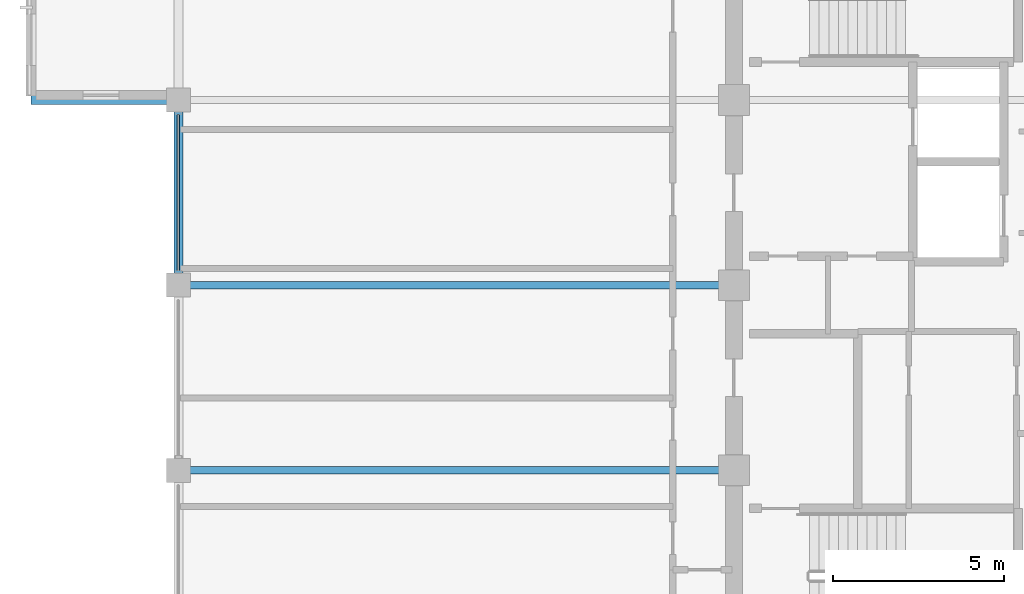
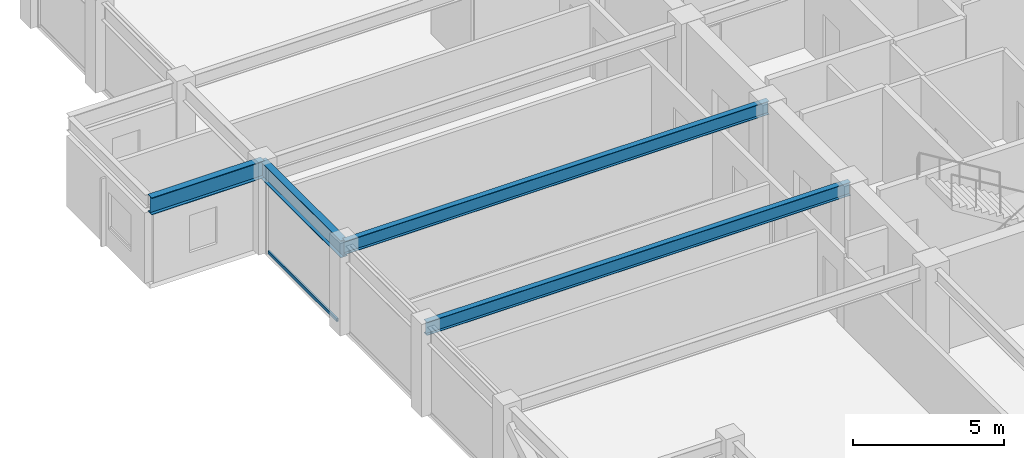
# One storey, part 6 of 31: 4 beams, 1 member, 1 element without a shape of its own.
"""IFC4 building model written with IfcOpenShell, lengths in metres."""

import ifcopenshell
import ifcopenshell.guid

model = None  # the IFC model being written
_history = None  # IfcOwnerHistory: only IFC2X3 demands one
_inside = {}  # id of a spatial element -> (the spatial element, [elements in it])
_under = {}  # id of a project, library or spatial element -> (it, [spatial elements below it])
_declared = {}  # id of a project -> (the project, [libraries it declares])
_typed = {}  # id of a type object -> (the type object, [elements of that type])
_made_of = {}  # id of a material, layer set ... -> (it, [elements and type objects made of it])


def new_model(schema):
    """Start an empty IFC model of exactly this schema.

    Asked for "IFC4X3", IfcOpenShell would pick the latest addendum, in which some entities
    have other attributes; the version numbers below select the first issue.
    IFC2X3 requires an IfcOwnerHistory on every rooted entity: one is made here for all.
    """
    global model, _history
    if schema == "IFC4X3":
        model = ifcopenshell.file(schema_version=(4, 3, 0, 0))
    else:
        model = ifcopenshell.file(schema=schema)
    _inside.clear()
    _under.clear()
    _declared.clear()
    _typed.clear()
    _made_of.clear()
    _history = None
    if model.schema == "IFC2X3":
        org = make("IfcOrganization", Name="unknown")
        user = make(
            "IfcPersonAndOrganization",
            ThePerson=make("IfcPerson", FamilyName="unknown"),
            TheOrganization=org,
        )
        app = make(
            "IfcApplication",
            ApplicationDeveloper=org,
            Version="unknown",
            ApplicationFullName="unknown",
            ApplicationIdentifier="unknown",
        )
        _history = make(
            "IfcOwnerHistory",
            OwningUser=user,
            OwningApplication=app,
            ChangeAction="ADDED",
            CreationDate=0,
        )
    return model


def make(cls, **values):
    """One entity of the class cls with the attributes given. An attribute that is None is left unset."""
    return model.create_entity(
        cls, **{name: value for name, value in values.items() if value is not None}
    )


def rooted(cls, **values):
    """An entity with a GlobalId (a new one), such as an element, a storey or a relation."""
    return make(cls, GlobalId=ifcopenshell.guid.new(), OwnerHistory=_history, **values)


def si_unit(unit_type, name, prefix=None):
    """IfcSIUnit, for example si_unit("LENGTHUNIT", "METRE", prefix="MILLI")."""
    return make("IfcSIUnit", UnitType=unit_type, Prefix=prefix, Name=name)


def assignment(units):
    """IfcUnitAssignment: the units of a project."""
    return None if units is None else make("IfcUnitAssignment", Units=units)


def point(xyz):
    """IfcCartesianPoint."""
    return None if xyz is None else make("IfcCartesianPoint", Coordinates=xyz)


def direction(xyz):
    """IfcDirection."""
    return None if xyz is None else make("IfcDirection", DirectionRatios=xyz)


def frame(location, z_axis=None, x_axis=None):
    """IfcAxis2Placement3D, a coordinate frame: its origin and axes. An axis left out is left unset."""
    return make(
        "IfcAxis2Placement3D",
        Location=point(location),
        Axis=direction(z_axis),
        RefDirection=direction(x_axis),
    )


def frame_2d(location, x_axis=None):
    """IfcAxis2Placement2D, a coordinate frame in the plane: its origin and x axis."""
    return make(
        "IfcAxis2Placement2D", Location=point(location), RefDirection=direction(x_axis)
    )


def origin():
    """The frame at (0, 0, 0) with its axes left unset."""
    return frame((0.0, 0.0, 0.0))


def origin_2d():
    """The frame at (0, 0) in the plane with its x axis left unset."""
    return frame_2d((0.0, 0.0))


def place(relative_to, where):
    """IfcLocalPlacement: puts the frame where relative to a parent placement (None: the world)."""
    return make(
        "IfcLocalPlacement", PlacementRelTo=relative_to, RelativePlacement=where
    )


def context(
    kind, dimensions, precision=None, world=None, true_north=None, identifier=None
):
    """IfcGeometricRepresentationContext, for example the 3D "Model" context."""
    return make(
        "IfcGeometricRepresentationContext",
        ContextIdentifier=identifier,
        ContextType=kind,
        CoordinateSpaceDimension=dimensions,
        Precision=precision,
        WorldCoordinateSystem=world,
        TrueNorth=true_north,
    )


def subcontext(parent, identifier, kind, view, scale=None):
    """IfcGeometricRepresentationSubContext, for example "Body" below "Model"."""
    return make(
        "IfcGeometricRepresentationSubContext",
        ContextIdentifier=identifier,
        ContextType=kind,
        ParentContext=parent,
        TargetScale=scale,
        TargetView=view,
    )


def project(units=None, contexts=None):
    """IfcProject with its units and contexts."""
    return rooted(
        "IfcProject",
        Name="project",
        RepresentationContexts=contexts,
        UnitsInContext=assignment(units),
    )


def spatial(cls, under=None, at=None, **own):
    """A site, building, storey or space (cls), placed at a placement, below another one or the project."""
    s = rooted(cls, ObjectPlacement=at, **own)
    if under is not None:
        _under.setdefault(under.id(), (under, []))[1].append(s)
    return s


def profile(cls, at=None, kind="AREA", **sizes):
    """A parametric profile (cls). Its sizes go by their IFC names, for example OverallWidth=200.0."""
    return make(cls, ProfileType=kind, Position=at, **sizes)


def hollow_rectangle(**sizes):
    """IfcRectangleHollowProfileDef."""
    return profile("IfcRectangleHollowProfileDef", **sizes)


def i_section(**sizes):
    """IfcIShapeProfileDef."""
    return profile("IfcIShapeProfileDef", **sizes)


def extrude(swept, where, along, depth):
    """IfcExtrudedAreaSolid: the profile swept, set in the frame where, extruded along a direction by depth."""
    return make(
        "IfcExtrudedAreaSolid",
        SweptArea=swept,
        Position=where,
        ExtrudedDirection=direction(along),
        Depth=depth,
    )


def shape(context_of_items, identifier, shape_type, items):
    """IfcShapeRepresentation: the items that make up one representation, for example the "Body"."""
    return make(
        "IfcShapeRepresentation",
        ContextOfItems=context_of_items,
        RepresentationIdentifier=identifier,
        RepresentationType=shape_type,
        Items=items,
    )


def material(Name=None, Category=None):
    """IfcMaterial."""
    return make("IfcMaterial", Name=Name, Category=Category)


def layer(
    of_material, thickness, ventilated=None, Name=None, Category=None, Priority=None
):
    """IfcMaterialLayer: one layer of a wall or slab, of a material (None: an air gap)."""
    return make(
        "IfcMaterialLayer",
        Material=of_material,
        LayerThickness=thickness,
        IsVentilated=ventilated,
        Name=Name,
        Category=Category,
        Priority=Priority,
    )


def layer_set(layers, Name=None):
    """IfcMaterialLayerSet."""
    return make("IfcMaterialLayerSet", MaterialLayers=layers, LayerSetName=Name)


def material_profile(
    of_material, cross_section, Name=None, Category=None, Priority=None
):
    """IfcMaterialProfile: a cross section and its material."""
    return make(
        "IfcMaterialProfile",
        Name=Name,
        Material=of_material,
        Profile=cross_section,
        Priority=Priority,
        Category=Category,
    )


def profile_set(profiles, Name=None, composite=None):
    """IfcMaterialProfileSet."""
    return make(
        "IfcMaterialProfileSet",
        Name=Name,
        MaterialProfiles=profiles,
        CompositeProfile=composite,
    )


def made_of(thing, what):
    """Note that an element or type object is made of a material, layer set ...; save() writes the relation."""
    if what is not None:
        _made_of.setdefault(what.id(), (what, []))[1].append(thing)
    return thing


def type_object(cls, material=None, **own):
    """A type object (cls), such as IfcWallType, which elements share."""
    return made_of(rooted(cls, **own), material)


def element(
    cls,
    number,
    at=None,
    inside=None,
    cuts=None,
    type_object=None,
    material=None,
    context=None,
    identifier="Body",
    shape_type=None,
    held_by="IfcProductDefinitionShape",
    body=None,
    shapes=None,
    **own,
):
    """One element of the class cls, such as IfcWall. Its Tag is "e" and its number.

    at: its placement. inside: the storey or other place that contains it. cuts: it is an
    opening in that element (IfcRelVoidsElement). A single representation is given by context,
    identifier, shape_type and body (its items); several are given by shapes. held_by: the class
    of the entity that holds the representations. save() writes the other relations.
    """
    e = rooted(cls, Tag="e%d" % number, ObjectPlacement=at, **own)
    if body is not None:
        shapes = [shape(context, identifier, shape_type, body)]
    if shapes is not None:
        e.Representation = make(held_by, Representations=shapes)
    if inside is not None:
        _inside.setdefault(inside.id(), (inside, []))[1].append(e)
    if cuts is not None:
        rooted(
            "IfcRelVoidsElement", RelatingBuildingElement=cuts, RelatedOpeningElement=e
        )
    if type_object is not None:
        _typed.setdefault(type_object.id(), (type_object, []))[1].append(e)
    return made_of(e, material)


def aggregate(whole, parts):
    """IfcRelAggregates: a whole, such as a stair, and the parts it consists of."""
    return rooted("IfcRelAggregates", RelatingObject=whole, RelatedObjects=parts)


def save(model, path):
    """Write the relations noted so far, then the file.

    IfcRelAggregates (storeys below a building ...), IfcRelContainedInSpatialStructure (elements
    in a storey), IfcRelDefinesByType, IfcRelAssociatesMaterial and IfcRelDeclares: one each for
    every whole, place, type object, material and project.
    """
    for whole, parts in _under.values():
        aggregate(whole, parts)
    for where, things in _inside.values():
        rooted(
            "IfcRelContainedInSpatialStructure",
            RelatedElements=things,
            RelatingStructure=where,
        )
    for kind, things in _typed.values():
        rooted("IfcRelDefinesByType", RelatedObjects=things, RelatingType=kind)
    for what, things in _made_of.values():
        rooted("IfcRelAssociatesMaterial", RelatedObjects=things, RelatingMaterial=what)
    for by, libraries in _declared.values():
        rooted("IfcRelDeclares", RelatingContext=by, RelatedDefinitions=libraries)
    model.write(path)


model = new_model("IFC4")

# Units and contexts
model_context = context("Model", 3, precision=1e-05, world=origin(), true_north=direction((0.0, 1.0)))
body_context = subcontext(model_context, "Body", "Model", "MODEL_VIEW")
ifc_project = project(units=[si_unit("LENGTHUNIT", "METRE"), si_unit("AREAUNIT", "SQUARE_METRE"), si_unit("VOLUMEUNIT", "CUBIC_METRE"), si_unit("PLANEANGLEUNIT", "RADIAN"), si_unit("MASSUNIT", "GRAM", prefix="KILO")], contexts=[model_context])

# Site, building, storey
site_placement = place(None, origin())
site = spatial("IfcSite", under=ifc_project, at=site_placement, CompositionType="ELEMENT")
building_placement = place(site_placement, origin())
building = spatial("IfcBuilding", under=site, at=building_placement, Name="Surkhivell Harbour Commons", CompositionType="ELEMENT")
storey_placement = place(building_placement, frame((0.0, 0.0, 262.5)))
storey = spatial("IfcBuildingStorey", under=building, at=storey_placement, Name="L68", CompositionType="ELEMENT", Elevation=262.5)

# Beams
ifc_material_1 = material(Name="Steel S460", Category="steel")
ifc_material_profile_1 = material_profile(ifc_material_1, i_section(OverallWidth=0.256103515625, OverallDepth=0.693115234375, WebThickness=0.014404296875, FlangeThickness=0.023681640625, at=origin_2d()), Name="UB686x254x170")
ifc_profile_set_1 = profile_set([ifc_material_profile_1], Name="Steel S460")
beam_type_1 = type_object("IfcBeamType", Name="BM-CNT-686", PredefinedType="BEAM", material=ifc_profile_set_1)
beam_1_placement = place(storey_placement, frame((-27.0, 5.39990234375, 3.223388671875), z_axis=(-1.0, 0.0, 0.0), x_axis=(0.0, -1.0, 0.0)))
element("IfcBeam", 1, at=beam_1_placement, inside=storey, type_object=beam_type_1, Name="L68 Box Cantilever Outrigger (-27.0,5.4)", PredefinedType="BEAM", context=body_context, shape_type="SweptSolid", body=[
    extrude(i_section(OverallWidth=0.256103515625, OverallDepth=0.693115234375, WebThickness=0.014404296875, FlangeThickness=0.023681640625, at=origin_2d()), origin(), (0.0, 0.0, 1.0), 4.300048828125),
])
ifc_material_2 = material(Name="Steel S355", Category="steel")
ifc_material_profile_2 = material_profile(ifc_material_2, i_section(OverallWidth=0.2099609375, OverallDepth=0.537109375, WebThickness=0.0107421875, FlangeThickness=0.017333984375, at=origin_2d()), Name="UB533x210x101")
ifc_profile_set_2 = profile_set([ifc_material_profile_2], Name="Steel S355")
beam_type_2 = type_object("IfcBeamType", Name="BM-GRD-533B", PredefinedType="BEAM", material=ifc_profile_set_2)
for number, where, z_axis, x_axis, name in (
    (2, (-27.0, -5.39990234375, 3.301513671875), (1.0, 0.0, 0.0), (0.0, 1.0, 0.0), "L68 Floor Girder (-27.0,-5.4)"),
    (3, (-27.0, 0.0, 3.301513671875), (1.0, 0.0, 0.0), (0.0, 1.0, 0.0), "L68 Floor Girder (-27.0,0.0)"),
):
    element("IfcBeam", number, at=place(storey_placement, frame(where, z_axis=z_axis, x_axis=x_axis)), inside=storey, type_object=beam_type_2, Name=name, PredefinedType="BEAM", context=body_context, shape_type="SweptSolid", body=[
        extrude(i_section(OverallWidth=0.2099609375, OverallDepth=0.537109375, WebThickness=0.0107421875, FlangeThickness=0.017333984375, at=origin_2d()), origin(), (0.0, 0.0, 1.0), 16.199951171875),
    ])
ifc_material_profile_3 = material_profile(ifc_material_2, i_section(OverallWidth=0.256103515625, OverallDepth=0.693115234375, WebThickness=0.014404296875, FlangeThickness=0.023681640625, at=origin_2d()), Name="UB686x254x170")
ifc_profile_set_3 = profile_set([ifc_material_profile_3], Name="Steel S355")
beam_type_3 = type_object("IfcBeamType", Name="BM-SPN-686", PredefinedType="SPANDREL", material=ifc_profile_set_3)
beam_2_placement = place(storey_placement, frame((-27.0, 0.0, 3.223388671875), z_axis=(0.0, 1.0, 0.0), x_axis=(-1.0, 0.0, 0.0)))
element("IfcBeam", 4, at=beam_2_placement, inside=storey, type_object=beam_type_3, Name="L68 Tube Spandrel (-27.0,0.0)", PredefinedType="SPANDREL", context=body_context, shape_type="SweptSolid", body=[
    extrude(i_section(OverallWidth=0.256103515625, OverallDepth=0.693115234375, WebThickness=0.014404296875, FlangeThickness=0.023681640625, at=origin_2d()), origin(), (0.0, 0.0, 1.0), 5.39990234375),
])

# Curtain wall, member
ifc_material_3 = material(Name="Anodised pale-metal aluminium and insulated glazing", Category="aluminium")
ifc_layer = layer(ifc_material_3, 0.175048828125)
ifc_layer_set = layer_set([ifc_layer], Name="Anodised pale-metal aluminium and insulated glazing")
curtain_wall_type = type_object("IfcCurtainWallType", Name="CW-SYS-Z4", PredefinedType="NOTDEFINED", material=ifc_layer_set)
curtain_wall_placement = place(storey_placement, origin())
curtain_wall = element("IfcCurtainWall", 5, at=curtain_wall_placement, inside=storey, type_object=curtain_wall_type, Name="L68 Curtain Wall CW-L68-E12R1S1", PredefinedType="NOTDEFINED")
ifc_material_4 = material(Name="Champagne anodised aluminium alloy 6063-T6", Category="aluminium")
ifc_material_profile_4 = material_profile(ifc_material_4, hollow_rectangle(XDim=0.070068359375, YDim=0.1298828125, WallThickness=0.00341796875, at=origin_2d()), Name="ALU-TRAN-70x130")
ifc_profile_set_4 = profile_set([ifc_material_profile_4], Name="Champagne anodised aluminium alloy 6063-T6")
member_type = type_object("IfcMemberType", Name="CWT-130", PredefinedType="USERDEFINED", material=ifc_profile_set_4)
member_placement = place(storey_placement, frame((-27.0, 0.427001953125, 0.06494140625), z_axis=(0.0, 1.0, 0.0), x_axis=(-1.0, 0.0, 0.0)))
member = element("IfcMember", 6, at=member_placement, type_object=member_type, Name="CW-Z4 transom 3.1", ObjectType="TRANSOM", PredefinedType="USERDEFINED", context=body_context, shape_type="SweptSolid", body=[
    extrude(hollow_rectangle(XDim=0.070068359375, YDim=0.1298828125, WallThickness=0.00341796875, at=origin_2d()), origin(), (0.0, 0.0, 1.0), 4.5458984375),
])
aggregate(curtain_wall, [member])

save(model, "model.ifc")
